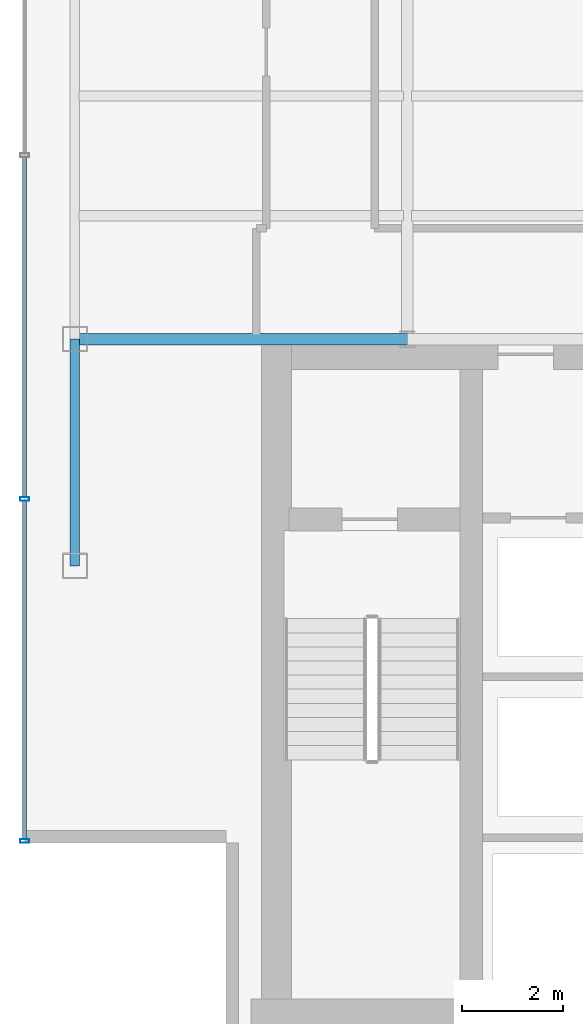
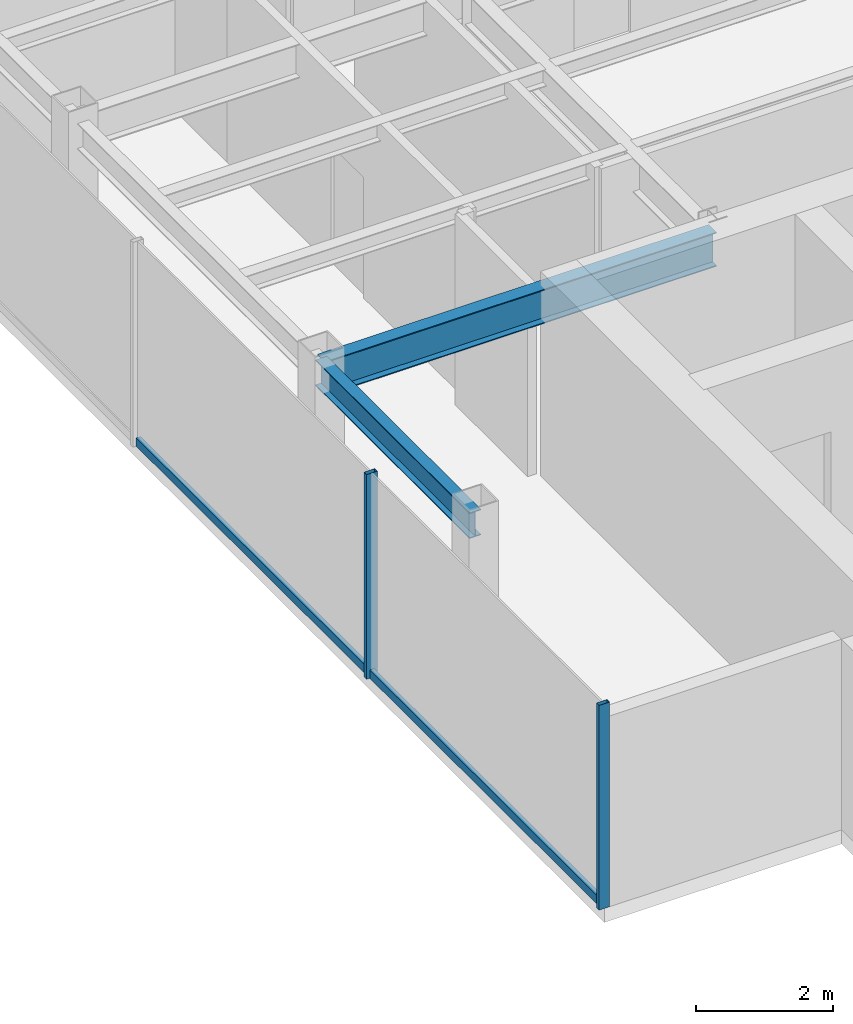
# One storey, part 3 of 22: 4 members, 2 beams, 1 element without a shape of its own.
"""IFC4 building model written with IfcOpenShell, lengths in metres."""

from ifc_helpers import new_model, si_unit, derived_unit, direction, frame, origin, origin_2d, place, context, subcontext, project, spatial, hollow_rectangle, i_section, extrude, source, transform, mapped, material, material_profile, profile_set, type_object, element, aggregate, save


model = new_model("IFC4")

# Units and contexts
model_context = context("Model", 3, precision=1e-05, world=origin(), true_north=direction((0.0, 1.0)))
body_context = subcontext(model_context, "Body", "Model", "MODEL_VIEW")
ifc_project = project(units=[si_unit("LENGTHUNIT", "METRE"), si_unit("AREAUNIT", "SQUARE_METRE"), si_unit("VOLUMEUNIT", "CUBIC_METRE"), si_unit("PLANEANGLEUNIT", "RADIAN"), si_unit("MASSUNIT", "GRAM", prefix="KILO"), derived_unit("THERMALTRANSMITTANCEUNIT", [(si_unit("POWERUNIT", "WATT"), 1), (si_unit("LENGTHUNIT", "METRE"), -2), (si_unit("THERMODYNAMICTEMPERATUREUNIT", "KELVIN"), -1)])], contexts=[model_context])

# Site, building, storey
site_placement = place(None, origin())
site = spatial("IfcSite", under=ifc_project, at=site_placement, CompositionType="ELEMENT")
building_placement = place(site_placement, origin())
building = spatial("IfcBuilding", under=site, at=building_placement, Name="Skarnbrae Concourse Arena and Tower", CompositionType="ELEMENT")
storey_placement = place(building_placement, frame((0.0, 0.0, 251.5)))
storey = spatial("IfcBuildingStorey", under=building, at=storey_placement, Name="L65", CompositionType="ELEMENT", Elevation=251.5)

# Beams
ifc_material_1 = material(Name="Steel CSA G40.21 350W", Category="steel")
ifc_material_profile_1 = material_profile(ifc_material_1, i_section(OverallWidth=0.22802734375, OverallDepth=0.60791015625, WebThickness=0.01123046875, FlangeThickness=0.017333984375, at=origin_2d()), Name="W610X113")
ifc_profile_set_1 = profile_set([ifc_material_profile_1], Name="Steel CSA G40.21 350W")
beam_type_1 = type_object("IfcBeamType", Name="BM-GIRD-W610X113", PredefinedType="BEAM", material=ifc_profile_set_1)
shared_shape_1 = source(origin(), body_context, "Body", "SweptSolid", [
    extrude(i_section(OverallWidth=0.22802734375, OverallDepth=0.60791015625, WebThickness=0.01123046875, FlangeThickness=0.017333984375, at=origin_2d()), origin(), (0.0, 0.0, 1.0), 6.60009765625),
])
beam_1_placement = place(storey_placement, frame((1.0, 14.0, 3.095947265625), z_axis=(1.0, 0.0, 0.0), x_axis=(0.0, 1.0, 0.0)))
element("IfcBeam", 1, at=beam_1_placement, inside=storey, type_object=beam_type_1, Name="L65 Primary E-W girder Y14.0-1", PredefinedType="BEAM", context=body_context, shape_type="MappedRepresentation", body=[
    mapped(shared_shape_1, transform((0.0, 0.0, 0.0))),
])
ifc_material_profile_2 = material_profile(ifc_material_1, i_section(OverallWidth=0.19091796875, OverallDepth=0.4599609375, WebThickness=0.010009765625, FlangeThickness=0.01611328125, at=origin_2d()), Name="W460X82")
ifc_profile_set_2 = profile_set([ifc_material_profile_2], Name="Steel CSA G40.21 350W")
beam_type_2 = type_object("IfcBeamType", Name="BM-SPAN-W460X82", PredefinedType="SPANDREL", material=ifc_profile_set_2)
shared_shape_2 = source(origin(), body_context, "Body", "SweptSolid", [
    extrude(i_section(OverallWidth=0.19091796875, OverallDepth=0.4599609375, WebThickness=0.010009765625, FlangeThickness=0.01611328125, at=origin_2d()), origin(), (0.0, 0.0, 1.0), 4.5),
])
beam_2_placement = place(storey_placement, frame((1.0, 9.5, 3.169921875), z_axis=(0.0, 1.0, 0.0), x_axis=(-1.0, 0.0, 0.0)))
element("IfcBeam", 2, at=beam_2_placement, inside=storey, type_object=beam_type_2, Name="L65 Perimeter spandrel X1.0-1", PredefinedType="SPANDREL", context=body_context, shape_type="MappedRepresentation", body=[
    mapped(shared_shape_2, transform((0.0, 0.0, 0.0))),
])

# Curtain wall, members
ifc_material_2 = material(Name="Bronze anodised aluminium 6063-T6", Category="aluminium")
curtain_wall_type = type_object("IfcCurtainWallType", Name="CW-SYS-05-HIGHZONE", PredefinedType="USERDEFINED", material=ifc_material_2)
curtain_wall_placement = place(storey_placement, origin())
curtain_wall = element("IfcCurtainWall", 3, at=curtain_wall_placement, inside=storey, type_object=curtain_wall_type, Name="L65 Unitised curtain wall CW-L65-E18", ObjectType="UNITISED CURTAIN WALL", PredefinedType="USERDEFINED")
ifc_material_profile_3 = material_profile(ifc_material_2, hollow_rectangle(XDim=0.074951171875, YDim=0.179931640625, WallThickness=0.00390625, at=origin_2d()), Name="ALU-MULL-75X180")
ifc_profile_set_3 = profile_set([ifc_material_profile_3], Name="Bronze anodised aluminium 6063-T6")
member_type_1 = type_object("IfcMemberType", Name="CWM-CW-05", PredefinedType="MULLION", material=ifc_profile_set_3)
shared_shape_3 = source(origin(), body_context, "Body", "SweptSolid", [
    extrude(hollow_rectangle(XDim=0.074951171875, YDim=0.179931640625, WallThickness=0.00390625, at=origin_2d()), origin(), (0.0, 0.0, 1.0), 3.64990234375),
])
member_1_placement = place(storey_placement, frame((0.0, 10.824951171875, 0.0), z_axis=(0.0, 0.0, 1.0), x_axis=(0.0, -1.0, 0.0)))
member_1 = element("IfcMember", 4, at=member_1_placement, type_object=member_type_1, Name="CW-L65-E18 Mullion 4", PredefinedType="MULLION", context=body_context, shape_type="MappedRepresentation", body=[
    mapped(shared_shape_3, transform((0.0, 0.0, 0.0))),
])
member_2_placement = place(storey_placement, frame((0.0, 4.03759765625, 0.0), z_axis=(0.0, 0.0, 1.0), x_axis=(0.0, -1.0, 0.0)))
member_2 = element("IfcMember", 5, at=member_2_placement, type_object=member_type_1, Name="CW-L65-E18 Mullion 5", PredefinedType="MULLION", context=body_context, shape_type="MappedRepresentation", body=[
    mapped(shared_shape_3, transform((0.0, 0.0, 0.0))),
])
ifc_material_profile_4 = material_profile(ifc_material_2, hollow_rectangle(XDim=0.074951171875, YDim=0.14990234375, WallThickness=0.00390625, at=origin_2d()), Name="ALU-TRAN-75X150")
ifc_profile_set_4 = profile_set([ifc_material_profile_4], Name="Bronze anodised aluminium 6063-T6")
member_type_2 = type_object("IfcMemberType", Name="CWT-CW-05", PredefinedType="USERDEFINED", material=ifc_profile_set_4)
shared_shape_4 = source(origin(), body_context, "Body", "SweptSolid", [
    extrude(hollow_rectangle(XDim=0.074951171875, YDim=0.14990234375, WallThickness=0.00390625, at=origin_2d()), origin(), (0.0, 0.0, 1.0), 6.712646484375),
])
member_3_placement = place(storey_placement, frame((0.0, 10.78759765625, 0.074951171875), z_axis=(0.0, -1.0, 0.0), x_axis=(1.0, 0.0, 0.0)))
member_3 = element("IfcMember", 6, at=member_3_placement, type_object=member_type_2, Name="CW-L65-E18 Transom 4", ObjectType="TRANSOM", PredefinedType="USERDEFINED", context=body_context, shape_type="MappedRepresentation", body=[
    mapped(shared_shape_4, transform((0.0, 0.0, 0.0))),
])
shared_shape_5 = source(origin(), body_context, "Body", "SweptSolid", [
    extrude(hollow_rectangle(XDim=0.074951171875, YDim=0.14990234375, WallThickness=0.00390625, at=origin_2d()), origin(), (0.0, 0.0, 1.0), 6.75),
])
member_4_placement = place(storey_placement, frame((0.0, 17.612548828125, 0.074951171875), z_axis=(0.0, -1.0, 0.0), x_axis=(1.0, 0.0, 0.0)))
member_4 = element("IfcMember", 7, at=member_4_placement, type_object=member_type_2, Name="CW-L65-E18 Transom 3", ObjectType="TRANSOM", PredefinedType="USERDEFINED", context=body_context, shape_type="MappedRepresentation", body=[
    mapped(shared_shape_5, transform((0.0, 0.0, 0.0))),
])
aggregate(curtain_wall, [member_1, member_2, member_4, member_3])

save(model, "model.ifc")
